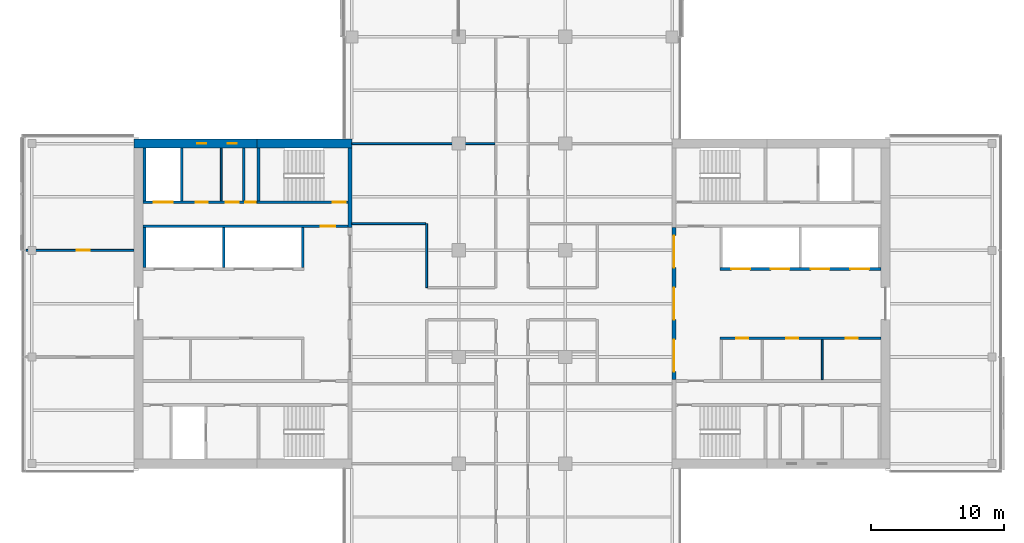
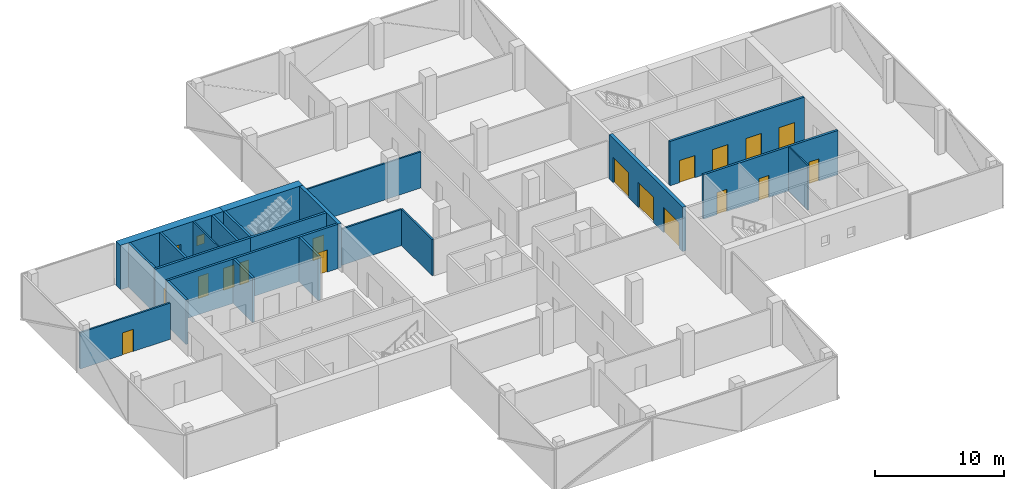
# One storey, part 15 of 22: 22 walls, 17 doors, 2 windows, 19 openings.
"""IFC4 building model written with IfcOpenShell, lengths in metres."""

from ifc_helpers import new_model, si_unit, direction, frame, frame_2d, origin, place, context, subcontext, project, spatial, rectangle, extrude, material, layer, layer_set, constituent, constituent_set, type_object, element, fill, save


model = new_model("IFC4")

# Units and contexts
model_context = context("Model", 3, precision=1e-05, world=origin(), true_north=direction((0.0, 1.0)))
body_context = subcontext(model_context, "Body", "Model", "MODEL_VIEW")
ifc_project = project(units=[si_unit("LENGTHUNIT", "METRE"), si_unit("AREAUNIT", "SQUARE_METRE"), si_unit("VOLUMEUNIT", "CUBIC_METRE"), si_unit("PLANEANGLEUNIT", "RADIAN"), si_unit("MASSUNIT", "GRAM", prefix="KILO")], contexts=[model_context])

# Site, building, storey
site_placement = place(None, origin())
site = spatial("IfcSite", under=ifc_project, at=site_placement, CompositionType="ELEMENT")
building_placement = place(site_placement, origin())
building = spatial("IfcBuilding", under=site, at=building_placement, Name="Crosswind Convention Tower", CompositionType="ELEMENT")
storey_placement = place(building_placement, frame((0.0, 0.0, 163.10009765625)))
storey = spatial("IfcBuildingStorey", under=building, at=storey_placement, Name="L34", CompositionType="ELEMENT", Elevation=163.10009765625)

# Wall
ifc_material_1 = material(Name="Concrete blockwork", Category="masonry")
ifc_layer_1 = layer(ifc_material_1, 0.199951171875)
ifc_layer_set_1 = layer_set([ifc_layer_1], Name="Blockwork partition wall 200")
wall_type_1 = type_object("IfcWallType", Name="Blockwork partition wall 200", PredefinedType="PARTITIONING", material=ifc_layer_set_1)
wall_1_placement = place(storey_placement, frame((104.89990234375, 111.64990234375, 0.0), z_axis=(0.0, 0.0, 1.0), x_axis=(0.0, -1.0, 0.0)))
element("IfcWall", 1, at=wall_1_placement, inside=storey, type_object=wall_type_1, Name="Wall MRSE W L34", PredefinedType="PARTITIONING", context=body_context, shape_type="SweptSolid", body=[
    extrude(rectangle(XDim=3.949951171875, YDim=0.199951171875, at=frame_2d((1.97509765625, 0.0))), origin(), (0.0, 0.0, 1.0), 4.199951171875),
])

# Wall, openings, doors
ifc_material_2 = material(Name="Concrete C50/60", Category="concrete")
ifc_layer_2 = layer(ifc_material_2, 0.300048828125)
ifc_layer_set_2 = layer_set([ifc_layer_2], Name="Concrete C50/60")
wall_type_2 = type_object("IfcWallType", Name="Concrete inner core wall 300", PredefinedType="SHEAR", material=ifc_layer_set_2)
wall_2_placement = place(storey_placement, frame((137.14990234375, 94.300048828125, 0.0), z_axis=(0.0, 0.0, 1.0), x_axis=(0.0, 1.0, 0.0)))
wall_2 = element("IfcWall", 2, at=wall_2_placement, inside=storey, type_object=wall_type_2, Name="Wall SCR E L34", PredefinedType="SHEAR", context=body_context, shape_type="SweptSolid", body=[
    extrude(rectangle(XDim=11.39990234375, YDim=0.300048828125, at=frame_2d((5.699951171875, 0.0))), origin(), (0.0, 0.0, 1.0), 4.199951171875),
])
opening_1_placement = place(wall_2_placement, frame((0.60009765625, 0.0, 0.0)))
opening_1 = element("IfcOpeningElement", 3, at=opening_1_placement, cuts=wall_2, Name="Opening D100", PredefinedType="OPENING", context=body_context, shape_type="SweptSolid", body=[
    extrude(rectangle(XDim=2.39990234375, YDim=2.39990234375, at=frame_2d((1.199951171875, 1.199951171875))), frame((0.0, 0.159912109375, 0.0), z_axis=(0.0, -1.0, 0.0), x_axis=(1.0, 0.0, 0.0)), (0.0, 0.0, 1.0), 0.320068359375),
])
opening_2_placement = place(wall_2_placement, frame((4.5, 0.0, 0.0)))
opening_2 = element("IfcOpeningElement", 4, at=opening_2_placement, cuts=wall_2, Name="Opening D100", PredefinedType="OPENING", context=body_context, shape_type="SweptSolid", body=[
    extrude(rectangle(XDim=2.39990234375, YDim=2.39990234375, at=frame_2d((1.199951171875, 1.199951171875))), frame((0.0, 0.159912109375, 0.0), z_axis=(0.0, -1.0, 0.0), x_axis=(1.0, 0.0, 0.0)), (0.0, 0.0, 1.0), 0.320068359375),
])
opening_3_placement = place(wall_2_placement, frame((8.39990234375, 0.0, 0.0)))
opening_3 = element("IfcOpeningElement", 5, at=opening_3_placement, cuts=wall_2, Name="Opening D100", PredefinedType="OPENING", context=body_context, shape_type="SweptSolid", body=[
    extrude(rectangle(XDim=2.39990234375, YDim=2.39990234375, at=frame_2d((1.199951171875, 1.199951171875))), frame((0.0, 0.159912109375, 0.0), z_axis=(0.0, -1.0, 0.0), x_axis=(1.0, 0.0, 0.0)), (0.0, 0.0, 1.0), 0.320068359375),
])
ifc_material_3 = material(Name="Steel fire door with glazed vision panels", Category="steel")
door_type_1 = type_object("IfcDoorType", Name="Fire-rated double door 2400x2400", OperationType="DOUBLE_DOOR_SINGLE_SWING", PredefinedType="DOOR", material=ifc_material_3)
door_1_placement = place(opening_1_placement, origin())
door_1 = element("IfcDoor", 6, at=door_1_placement, inside=storey, type_object=door_type_1, Name="Lobby door 1 L34", ObjectType="D100", OperationType="DOUBLE_DOOR_SINGLE_SWING", OverallHeight=2.39990234375, OverallWidth=2.39990234375, PredefinedType="DOOR", context=body_context, shape_type="SweptSolid", body=[
    extrude(rectangle(XDim=2.39990234375, YDim=2.39990234375, at=frame_2d((1.199951171875, 1.199951171875))), frame((0.0, 0.02490234375, 0.0), z_axis=(0.0, -1.0, 0.0), x_axis=(1.0, 0.0, 0.0)), (0.0, 0.0, 1.0), 0.050048828125),
])
fill(opening_1, door_1)
door_2_placement = place(opening_2_placement, origin())
door_2 = element("IfcDoor", 7, at=door_2_placement, inside=storey, type_object=door_type_1, Name="Lobby door 2 L34", ObjectType="D100", OperationType="DOUBLE_DOOR_SINGLE_SWING", OverallHeight=2.39990234375, OverallWidth=2.39990234375, PredefinedType="DOOR", context=body_context, shape_type="SweptSolid", body=[
    extrude(rectangle(XDim=2.39990234375, YDim=2.39990234375, at=frame_2d((1.199951171875, 1.199951171875))), frame((0.0, 0.02490234375, 0.0), z_axis=(0.0, -1.0, 0.0), x_axis=(1.0, 0.0, 0.0)), (0.0, 0.0, 1.0), 0.050048828125),
])
fill(opening_2, door_2)
door_3_placement = place(opening_3_placement, origin())
door_3 = element("IfcDoor", 8, at=door_3_placement, inside=storey, type_object=door_type_1, Name="Lobby door 3 L34", ObjectType="D100", OperationType="DOUBLE_DOOR_SINGLE_SWING", OverallHeight=2.39990234375, OverallWidth=2.39990234375, PredefinedType="DOOR", context=body_context, shape_type="SweptSolid", body=[
    extrude(rectangle(XDim=2.39990234375, YDim=2.39990234375, at=frame_2d((1.199951171875, 1.199951171875))), frame((0.0, 0.02490234375, 0.0), z_axis=(0.0, -1.0, 0.0), x_axis=(1.0, 0.0, 0.0)), (0.0, 0.0, 1.0), 0.050048828125),
])
fill(opening_3, door_3)

# Wall
wall_3_placement = place(storey_placement, frame((112.85009765625, 111.64990234375, 0.0), z_axis=(0.0, 0.0, 1.0), x_axis=(0.0, -1.0, 0.0)))
element("IfcWall", 9, at=wall_3_placement, inside=storey, type_object=wall_type_2, Name="Wall EM W L34", PredefinedType="SHEAR", context=body_context, shape_type="SweptSolid", body=[
    extrude(rectangle(XDim=5.949951171875, YDim=0.300048828125, at=frame_2d((2.97509765625, 0.0))), origin(), (0.0, 0.0, 1.0), 4.199951171875),
])

# Wall, openings, doors
ifc_layer_3 = layer(ifc_material_2, 0.199951171875)
ifc_layer_set_3 = layer_set([ifc_layer_3], Name="Concrete C50/60")
wall_type_3 = type_object("IfcWallType", Name="Concrete shaft and stair wall 200", PredefinedType="SHEAR", material=ifc_layer_set_3)
wall_4_placement = place(storey_placement, frame((140.60009765625, 102.60009765625, 0.0), z_axis=(0.0, 0.0, 1.0), x_axis=(1.0, 0.0, 0.0)))
wall_4 = element("IfcWall", 10, at=wall_4_placement, inside=storey, type_object=wall_type_3, Name="Wall RPFRONT E L34", PredefinedType="SHEAR", context=body_context, shape_type="SweptSolid", body=[
    extrude(rectangle(XDim=12.0498046875, YDim=0.199951171875, at=frame_2d((6.02490234375, 0.0))), origin(), (0.0, 0.0, 1.0), 4.199951171875),
])
opening_4_placement = place(wall_4_placement, frame((0.85009765625, 0.0, 0.0)))
opening_4 = element("IfcOpeningElement", 11, at=opening_4_placement, cuts=wall_4, Name="Opening LD2", PredefinedType="OPENING", context=body_context, shape_type="SweptSolid", body=[
    extrude(rectangle(XDim=1.39990234375, YDim=2.10009765625, at=frame_2d((0.699951171875, 1.050048828125))), frame((0.0, 0.10986328125, 0.0), z_axis=(0.0, -1.0, 0.0), x_axis=(1.0, 0.0, 0.0)), (0.0, 0.0, 1.0), 0.219970703125),
])
opening_5_placement = place(wall_4_placement, frame((3.800048828125, 0.0, 0.0)))
opening_5 = element("IfcOpeningElement", 12, at=opening_5_placement, cuts=wall_4, Name="Opening LD2", PredefinedType="OPENING", context=body_context, shape_type="SweptSolid", body=[
    extrude(rectangle(XDim=1.39990234375, YDim=2.10009765625, at=frame_2d((0.699951171875, 1.050048828125))), frame((0.0, 0.10986328125, 0.0), z_axis=(0.0, -1.0, 0.0), x_axis=(1.0, 0.0, 0.0)), (0.0, 0.0, 1.0), 0.219970703125),
])
opening_6_placement = place(wall_4_placement, frame((6.800048828125, 0.0, 0.0)))
opening_6 = element("IfcOpeningElement", 13, at=opening_6_placement, cuts=wall_4, Name="Opening LD2", PredefinedType="OPENING", context=body_context, shape_type="SweptSolid", body=[
    extrude(rectangle(XDim=1.39990234375, YDim=2.10009765625, at=frame_2d((0.699951171875, 1.050048828125))), frame((0.0, 0.10986328125, 0.0), z_axis=(0.0, -1.0, 0.0), x_axis=(1.0, 0.0, 0.0)), (0.0, 0.0, 1.0), 0.219970703125),
])
opening_7_placement = place(wall_4_placement, frame((9.77490234375, 0.0, 0.0)))
opening_7 = element("IfcOpeningElement", 14, at=opening_7_placement, cuts=wall_4, Name="Opening LD2", PredefinedType="OPENING", context=body_context, shape_type="SweptSolid", body=[
    extrude(rectangle(XDim=1.39990234375, YDim=2.10009765625, at=frame_2d((0.699951171875, 1.050048828125))), frame((0.0, 0.10986328125, 0.0), z_axis=(0.0, -1.0, 0.0), x_axis=(1.0, 0.0, 0.0)), (0.0, 0.0, 1.0), 0.219970703125),
])
ifc_material_4 = material(Name="Stainless steel", Category="steel")
door_type_2 = type_object("IfcDoorType", Name="Lift landing door 1400x2100", OperationType="DOUBLE_DOOR_SLIDING", PredefinedType="DOOR", material=ifc_material_4)
door_4_placement = place(opening_4_placement, origin())
door_4 = element("IfcDoor", 15, at=door_4_placement, inside=storey, type_object=door_type_2, Name="Landing door A1 L34", ObjectType="LD2", OperationType="DOUBLE_DOOR_SLIDING", OverallHeight=2.10009765625, OverallWidth=1.39990234375, PredefinedType="DOOR", context=body_context, shape_type="SweptSolid", body=[
    extrude(rectangle(XDim=1.39990234375, YDim=2.10009765625, at=frame_2d((0.699951171875, 1.050048828125))), frame((0.0, 0.02490234375, 0.0), z_axis=(0.0, -1.0, 0.0), x_axis=(1.0, 0.0, 0.0)), (0.0, 0.0, 1.0), 0.050048828125),
])
fill(opening_4, door_4)
door_5_placement = place(opening_5_placement, origin())
door_5 = element("IfcDoor", 16, at=door_5_placement, inside=storey, type_object=door_type_2, Name="Landing door A2 L34", ObjectType="LD2", OperationType="DOUBLE_DOOR_SLIDING", OverallHeight=2.10009765625, OverallWidth=1.39990234375, PredefinedType="DOOR", context=body_context, shape_type="SweptSolid", body=[
    extrude(rectangle(XDim=1.39990234375, YDim=2.10009765625, at=frame_2d((0.699951171875, 1.050048828125))), frame((0.0, 0.02490234375, 0.0), z_axis=(0.0, -1.0, 0.0), x_axis=(1.0, 0.0, 0.0)), (0.0, 0.0, 1.0), 0.050048828125),
])
fill(opening_5, door_5)
door_6_placement = place(opening_6_placement, origin())
door_6 = element("IfcDoor", 17, at=door_6_placement, inside=storey, type_object=door_type_2, Name="Landing door A3 L34", ObjectType="LD2", OperationType="DOUBLE_DOOR_SLIDING", OverallHeight=2.10009765625, OverallWidth=1.39990234375, PredefinedType="DOOR", context=body_context, shape_type="SweptSolid", body=[
    extrude(rectangle(XDim=1.39990234375, YDim=2.10009765625, at=frame_2d((0.699951171875, 1.050048828125))), frame((0.0, 0.02490234375, 0.0), z_axis=(0.0, -1.0, 0.0), x_axis=(1.0, 0.0, 0.0)), (0.0, 0.0, 1.0), 0.050048828125),
])
fill(opening_6, door_6)
door_7_placement = place(opening_7_placement, origin())
door_7 = element("IfcDoor", 18, at=door_7_placement, inside=storey, type_object=door_type_2, Name="Landing door A4 L34", ObjectType="LD2", OperationType="DOUBLE_DOOR_SLIDING", OverallHeight=2.10009765625, OverallWidth=1.39990234375, PredefinedType="DOOR", context=body_context, shape_type="SweptSolid", body=[
    extrude(rectangle(XDim=1.39990234375, YDim=2.10009765625, at=frame_2d((0.699951171875, 1.050048828125))), frame((0.0, 0.02490234375, 0.0), z_axis=(0.0, -1.0, 0.0), x_axis=(1.0, 0.0, 0.0)), (0.0, 0.0, 1.0), 0.050048828125),
])
fill(opening_7, door_7)

wall_5_placement = place(storey_placement, frame((140.60009765625, 97.39990234375, 0.0), z_axis=(0.0, 0.0, 1.0), x_axis=(1.0, 0.0, 0.0)))
wall_5 = element("IfcWall", 19, at=wall_5_placement, inside=storey, type_object=wall_type_3, Name="Wall RMFRONT E L34", PredefinedType="SHEAR", context=body_context, shape_type="SweptSolid", body=[
    extrude(rectangle(XDim=12.0498046875, YDim=0.199951171875, at=frame_2d((6.02490234375, 0.0))), origin(), (0.0, 0.0, 1.0), 4.199951171875),
])
opening_8_placement = place(wall_5_placement, frame((1.199951171875, 0.0, 0.0)))
opening_8 = element("IfcOpeningElement", 20, at=opening_8_placement, cuts=wall_5, Name="Opening D106", PredefinedType="OPENING", context=body_context, shape_type="SweptSolid", body=[
    extrude(rectangle(XDim=0.89990234375, YDim=2.10009765625, at=frame_2d((0.449951171875, 1.050048828125))), frame((0.0, 0.10986328125, 0.0), z_axis=(0.0, -1.0, 0.0), x_axis=(1.0, 0.0, 0.0)), (0.0, 0.0, 1.0), 0.219970703125),
])
opening_9_placement = place(wall_5_placement, frame((4.964111328125, 0.0, 0.0)))
opening_9 = element("IfcOpeningElement", 21, at=opening_9_placement, cuts=wall_5, Name="Opening D106", PredefinedType="OPENING", context=body_context, shape_type="SweptSolid", body=[
    extrude(rectangle(XDim=0.89990234375, YDim=2.10009765625, at=frame_2d((0.449951171875, 1.050048828125))), frame((0.0, 0.10986328125, 0.0), z_axis=(0.0, -1.0, 0.0), x_axis=(1.0, 0.0, 0.0)), (0.0, 0.0, 1.0), 0.219970703125),
])
opening_10_placement = place(wall_5_placement, frame((9.43896484375, 0.0, 0.0)))
opening_10 = element("IfcOpeningElement", 22, at=opening_10_placement, cuts=wall_5, Name="Opening D106", PredefinedType="OPENING", context=body_context, shape_type="SweptSolid", body=[
    extrude(rectangle(XDim=0.89990234375, YDim=2.10009765625, at=frame_2d((0.449951171875, 1.050048828125))), frame((0.0, 0.10986328125, 0.0), z_axis=(0.0, -1.0, 0.0), x_axis=(1.0, 0.0, 0.0)), (0.0, 0.0, 1.0), 0.219970703125),
])
ifc_material_5 = material(Name="Timber door", Category="wood")
door_type_3 = type_object("IfcDoorType", Name="Single leaf door 900x2100", OperationType="NOTDEFINED", PredefinedType="DOOR", material=ifc_material_5)
door_8_placement = place(opening_8_placement, frame((0.89990234375, 0.0, 0.0), z_axis=(0.0, 0.0, 1.0), x_axis=(-1.0, 0.0, 0.0)))
door_8 = element("IfcDoor", 23, at=door_8_placement, inside=storey, type_object=door_type_3, Name="Door to copy and print room L34", ObjectType="D106", OperationType="SINGLE_SWING_LEFT", OverallHeight=2.10009765625, OverallWidth=0.89990234375, PredefinedType="DOOR", context=body_context, shape_type="SweptSolid", body=[
    extrude(rectangle(XDim=0.89990234375, YDim=2.10009765625, at=frame_2d((0.449951171875, 1.050048828125))), frame((0.0, 0.02490234375, 0.0), z_axis=(0.0, -1.0, 0.0), x_axis=(1.0, 0.0, 0.0)), (0.0, 0.0, 1.0), 0.050048828125),
])
fill(opening_8, door_8)
door_9_placement = place(opening_9_placement, frame((0.89990234375, 0.0, 0.0), z_axis=(0.0, 0.0, 1.0), x_axis=(-1.0, 0.0, 0.0)))
door_9 = element("IfcDoor", 24, at=door_9_placement, inside=storey, type_object=door_type_3, Name="Door to meeting room L34", ObjectType="D106", OperationType="SINGLE_SWING_LEFT", OverallHeight=2.10009765625, OverallWidth=0.89990234375, PredefinedType="DOOR", context=body_context, shape_type="SweptSolid", body=[
    extrude(rectangle(XDim=0.89990234375, YDim=2.10009765625, at=frame_2d((0.449951171875, 1.050048828125))), frame((0.0, 0.02490234375, 0.0), z_axis=(0.0, -1.0, 0.0), x_axis=(1.0, 0.0, 0.0)), (0.0, 0.0, 1.0), 0.050048828125),
])
fill(opening_9, door_9)
door_10_placement = place(opening_10_placement, frame((0.89990234375, 0.0, 0.0), z_axis=(0.0, 0.0, 1.0), x_axis=(-1.0, 0.0, 0.0)))
door_10 = element("IfcDoor", 25, at=door_10_placement, inside=storey, type_object=door_type_3, Name="Door to pantry L34", ObjectType="D106", OperationType="SINGLE_SWING_LEFT", OverallHeight=2.10009765625, OverallWidth=0.89990234375, PredefinedType="DOOR", context=body_context, shape_type="SweptSolid", body=[
    extrude(rectangle(XDim=0.89990234375, YDim=2.10009765625, at=frame_2d((0.449951171875, 1.050048828125))), frame((0.0, 0.02490234375, 0.0), z_axis=(0.0, -1.0, 0.0), x_axis=(1.0, 0.0, 0.0)), (0.0, 0.0, 1.0), 0.050048828125),
])
fill(opening_10, door_10)

# Walls
for number, where, z_axis, x_axis, name in (
    (26, (109.300048828125, 105.699951171875, 0.0), (0.0, 0.0, 1.0), (0.0, -1.0, 0.0), "Wall RMEND W L34"),
    (27, (103.39990234375, 105.699951171875, 0.0), (0.0, 0.0, 1.0), (0.0, -1.0, 0.0), "Wall RMSEP W L34"),
    (28, (97.449951171875, 105.699951171875, 0.0), (0.0, 0.0, 1.0), (0.0, -1.0, 0.0), "Wall RMEAST W L34"),
):
    element("IfcWall", number, at=place(storey_placement, frame(where, z_axis=z_axis, x_axis=x_axis)), inside=storey, type_object=wall_type_3, Name=name, PredefinedType="SHEAR", context=body_context, shape_type="SweptSolid", body=[
        extrude(rectangle(XDim=3.0, YDim=0.199951171875, at=frame_2d((1.5, 0.0))), origin(), (0.0, 0.0, 1.0), 4.199951171875),
    ])

# Wall, opening, door
wall_6_placement = place(storey_placement, frame((112.699951171875, 105.800048828125, 0.0), z_axis=(0.0, 0.0, 1.0), x_axis=(-1.0, 0.0, 0.0)))
wall_6 = element("IfcWall", 29, at=wall_6_placement, inside=storey, type_object=wall_type_3, Name="Wall HM W L34", PredefinedType="SHEAR", context=body_context, shape_type="SweptSolid", body=[
    extrude(rectangle(XDim=15.349853515625, YDim=0.199951171875, at=frame_2d((7.6748046875, 0.0))), origin(), (0.0, 0.0, 1.0), 4.199951171875),
])
opening_11_placement = place(wall_6_placement, frame((0.949951171875, 0.0, 0.0)))
opening_11 = element("IfcOpeningElement", 30, at=opening_11_placement, cuts=wall_6, Name="Opening D104", PredefinedType="OPENING", context=body_context, shape_type="SweptSolid", body=[
    extrude(rectangle(XDim=1.10009765625, YDim=2.10009765625, at=frame_2d((0.550048828125, 1.050048828125))), frame((0.0, 0.10986328125, 0.0), z_axis=(0.0, -1.0, 0.0), x_axis=(1.0, 0.0, 0.0)), (0.0, 0.0, 1.0), 0.219970703125),
])
ifc_material_6 = material(Name="Steel fire door", Category="steel")
door_type_4 = type_object("IfcDoorType", Name="Fire-rated single door 1100x2100", OperationType="NOTDEFINED", PredefinedType="DOOR", material=ifc_material_6)
door_11_placement = place(opening_11_placement, origin())
door_11 = element("IfcDoor", 31, at=door_11_placement, inside=storey, type_object=door_type_4, Name="Corridor door L34", ObjectType="D104", OperationType="SINGLE_SWING_LEFT", OverallHeight=2.10009765625, OverallWidth=1.10009765625, PredefinedType="DOOR", context=body_context, shape_type="SweptSolid", body=[
    extrude(rectangle(XDim=1.10009765625, YDim=2.10009765625, at=frame_2d((0.550048828125, 1.050048828125))), frame((0.0, 0.02490234375, 0.0), z_axis=(0.0, -1.0, 0.0), x_axis=(1.0, 0.0, 0.0)), (0.0, 0.0, 1.0), 0.050048828125),
])
fill(opening_11, door_11)

# Walls
for number, where, z_axis, x_axis, name in (
    (32, (106.0, 111.64990234375, 0.0), (0.0, 0.0, 1.0), (0.0, -1.0, 0.0), "Wall MSE W L34"),
    (33, (100.25, 111.64990234375, 0.0), (0.0, 0.0, 1.0), (0.0, -1.0, 0.0), "Wall MFSW W L34"),
    (34, (97.449951171875, 111.64990234375, 0.0), (0.0, 0.0, 1.0), (0.0, -1.0, 0.0), "Wall MFSE W L34"),
):
    element("IfcWall", number, at=place(storey_placement, frame(where, z_axis=z_axis, x_axis=x_axis)), inside=storey, type_object=wall_type_3, Name=name, PredefinedType="SHEAR", context=body_context, shape_type="SweptSolid", body=[
        extrude(rectangle(XDim=3.949951171875, YDim=0.199951171875, at=frame_2d((1.97509765625, 0.0))), origin(), (0.0, 0.0, 1.0), 4.199951171875),
    ])

# Wall, opening, door
wall_7_placement = place(storey_placement, frame((112.699951171875, 107.60009765625, 0.0), z_axis=(0.0, 0.0, 1.0), x_axis=(-1.0, 0.0, 0.0)))
wall_7 = element("IfcWall", 35, at=wall_7_placement, inside=storey, type_object=wall_type_3, Name="Wall MCW W L34", PredefinedType="SHEAR", context=body_context, shape_type="SweptSolid", body=[
    extrude(rectangle(XDim=6.800048828125, YDim=0.199951171875, at=frame_2d((3.39990234375, 0.0))), origin(), (0.0, 0.0, 1.0), 4.199951171875),
])
opening_12_placement = place(wall_7_placement, frame((0.14990234375, 0.0, 0.0)))
opening_12 = element("IfcOpeningElement", 36, at=opening_12_placement, cuts=wall_7, Name="Opening D103", PredefinedType="OPENING", context=body_context, shape_type="SweptSolid", body=[
    extrude(rectangle(XDim=1.0, YDim=2.10009765625, at=frame_2d((0.5, 1.050048828125))), frame((0.0, 0.10986328125, 0.0), z_axis=(0.0, -1.0, 0.0), x_axis=(1.0, 0.0, 0.0)), (0.0, 0.0, 1.0), 0.219970703125),
])
door_type_5 = type_object("IfcDoorType", Name="Fire-rated single door 1000x2100", OperationType="NOTDEFINED", PredefinedType="DOOR", material=ifc_material_6)
door_12_placement = place(opening_12_placement, frame((1.0, 0.0, 0.0), z_axis=(0.0, 0.0, 1.0), x_axis=(-1.0, 0.0, 0.0)))
door_12 = element("IfcDoor", 37, at=door_12_placement, inside=storey, type_object=door_type_5, Name="Stair ST4 door L34", ObjectType="D103", OperationType="SINGLE_SWING_RIGHT", OverallHeight=2.10009765625, OverallWidth=1.0, PredefinedType="DOOR", context=body_context, shape_type="SweptSolid", body=[
    extrude(rectangle(XDim=1.0, YDim=2.10009765625, at=frame_2d((0.5, 1.050048828125))), frame((0.0, 0.02490234375, 0.0), z_axis=(0.0, -1.0, 0.0), x_axis=(1.0, 0.0, 0.0)), (0.0, 0.0, 1.0), 0.050048828125),
])
fill(opening_12, door_12)

# Wall, openings, doors
wall_8_placement = place(storey_placement, frame((105.89990234375, 107.60009765625, 0.0), z_axis=(0.0, 0.0, 1.0), x_axis=(-1.0, 0.0, 0.0)))
wall_8 = element("IfcWall", 38, at=wall_8_placement, inside=storey, type_object=wall_type_3, Name="Wall MCX W L34", PredefinedType="SHEAR", context=body_context, shape_type="SweptSolid", body=[
    extrude(rectangle(XDim=8.5498046875, YDim=0.199951171875, at=frame_2d((4.27490234375, 0.0))), origin(), (0.0, 0.0, 1.0), 4.199951171875),
])
opening_13_placement = place(wall_8_placement, frame((0.10009765625, 0.0, 0.0)))
opening_13 = element("IfcOpeningElement", 39, at=opening_13_placement, cuts=wall_8, Name="Opening D105", PredefinedType="OPENING", context=body_context, shape_type="SweptSolid", body=[
    extrude(rectangle(XDim=0.800048828125, YDim=2.10009765625, at=frame_2d((0.39990234375, 1.050048828125))), frame((0.0, 0.10986328125, 0.0), z_axis=(0.0, -1.0, 0.0), x_axis=(1.0, 0.0, 0.0)), (0.0, 0.0, 1.0), 0.219970703125),
])
opening_14_placement = place(wall_8_placement, frame((1.36962890625, 0.0, 0.0)))
opening_14 = element("IfcOpeningElement", 40, at=opening_14_placement, cuts=wall_8, Name="Opening D103", PredefinedType="OPENING", context=body_context, shape_type="SweptSolid", body=[
    extrude(rectangle(XDim=1.0, YDim=2.10009765625, at=frame_2d((0.5, 1.050048828125))), frame((0.0, 0.10986328125, 0.0), z_axis=(0.0, -1.0, 0.0), x_axis=(1.0, 0.0, 0.0)), (0.0, 0.0, 1.0), 0.219970703125),
])
opening_15_placement = place(wall_8_placement, frame((3.707275390625, 0.0, 0.0)))
opening_15 = element("IfcOpeningElement", 41, at=opening_15_placement, cuts=wall_8, Name="Opening D106", PredefinedType="OPENING", context=body_context, shape_type="SweptSolid", body=[
    extrude(rectangle(XDim=0.89990234375, YDim=2.10009765625, at=frame_2d((0.449951171875, 1.050048828125))), frame((0.0, 0.10986328125, 0.0), z_axis=(0.0, -1.0, 0.0), x_axis=(1.0, 0.0, 0.0)), (0.0, 0.0, 1.0), 0.219970703125),
])
opening_16_placement = place(wall_8_placement, frame((6.35009765625, 0.0, 0.0)))
opening_16 = element("IfcOpeningElement", 42, at=opening_16_placement, cuts=wall_8, Name="Opening LD2", PredefinedType="OPENING", context=body_context, shape_type="SweptSolid", body=[
    extrude(rectangle(XDim=1.39990234375, YDim=2.10009765625, at=frame_2d((0.699951171875, 1.050048828125))), frame((0.0, 0.10986328125, 0.0), z_axis=(0.0, -1.0, 0.0), x_axis=(1.0, 0.0, 0.0)), (0.0, 0.0, 1.0), 0.219970703125),
])
door_13_placement = place(opening_14_placement, frame((1.0, 0.0, 0.0), z_axis=(0.0, 0.0, 1.0), x_axis=(-1.0, 0.0, 0.0)))
door_13 = element("IfcDoor", 43, at=door_13_placement, inside=storey, type_object=door_type_5, Name="Door to accessible wc L34", ObjectType="D103", OperationType="SINGLE_SWING_LEFT", OverallHeight=2.10009765625, OverallWidth=1.0, PredefinedType="DOOR", context=body_context, shape_type="SweptSolid", body=[
    extrude(rectangle(XDim=1.0, YDim=2.10009765625, at=frame_2d((0.5, 1.050048828125))), frame((0.0, 0.02490234375, 0.0), z_axis=(0.0, -1.0, 0.0), x_axis=(1.0, 0.0, 0.0)), (0.0, 0.0, 1.0), 0.050048828125),
])
fill(opening_14, door_13)
door_14_placement = place(opening_16_placement, origin())
door_14 = element("IfcDoor", 44, at=door_14_placement, inside=storey, type_object=door_type_2, Name="Landing door SV2 L34", ObjectType="LD2", OperationType="DOUBLE_DOOR_SLIDING", OverallHeight=2.10009765625, OverallWidth=1.39990234375, PredefinedType="DOOR", context=body_context, shape_type="SweptSolid", body=[
    extrude(rectangle(XDim=1.39990234375, YDim=2.10009765625, at=frame_2d((0.699951171875, 1.050048828125))), frame((0.0, 0.02490234375, 0.0), z_axis=(0.0, -1.0, 0.0), x_axis=(1.0, 0.0, 0.0)), (0.0, 0.0, 1.0), 0.050048828125),
])
fill(opening_16, door_14)
door_type_6 = type_object("IfcDoorType", Name="Riser access door 800x2100", OperationType="NOTDEFINED", PredefinedType="DOOR", material=ifc_material_6)
door_15_placement = place(opening_13_placement, frame((0.800048828125, 0.0, 0.0), z_axis=(0.0, 0.0, 1.0), x_axis=(-1.0, 0.0, 0.0)))
door_15 = element("IfcDoor", 45, at=door_15_placement, inside=storey, type_object=door_type_6, Name="Riser door L34", ObjectType="D105", OperationType="SINGLE_SWING_LEFT", OverallHeight=2.10009765625, OverallWidth=0.800048828125, PredefinedType="DOOR", context=body_context, shape_type="SweptSolid", body=[
    extrude(rectangle(XDim=0.800048828125, YDim=2.10009765625, at=frame_2d((0.39990234375, 1.050048828125))), frame((0.0, 0.02490234375, 0.0), z_axis=(0.0, -1.0, 0.0), x_axis=(1.0, 0.0, 0.0)), (0.0, 0.0, 1.0), 0.050048828125),
])
fill(opening_13, door_15)
door_16_placement = place(opening_15_placement, frame((0.89990234375, 0.0, 0.0), z_axis=(0.0, 0.0, 1.0), x_axis=(-1.0, 0.0, 0.0)))
door_16 = element("IfcDoor", 46, at=door_16_placement, inside=storey, type_object=door_type_3, Name="Door to wc L34", ObjectType="D106", OperationType="SINGLE_SWING_LEFT", OverallHeight=2.10009765625, OverallWidth=0.89990234375, PredefinedType="DOOR", context=body_context, shape_type="SweptSolid", body=[
    extrude(rectangle(XDim=0.89990234375, YDim=2.10009765625, at=frame_2d((0.449951171875, 1.050048828125))), frame((0.0, 0.02490234375, 0.0), z_axis=(0.0, -1.0, 0.0), x_axis=(1.0, 0.0, 0.0)), (0.0, 0.0, 1.0), 0.050048828125),
])
fill(opening_15, door_16)

# Walls
ifc_material_7 = material(Name="Gypsum plasterboard partition", Category="gypsum")
ifc_layer_4 = layer(ifc_material_7, 0.125)
ifc_layer_set_4 = layer_set([ifc_layer_4], Name="Drywall partition wall 125")
wall_type_4 = type_object("IfcWallType", Name="Drywall partition wall 125", PredefinedType="PARTITIONING", material=ifc_layer_set_4)
wall_9_placement = place(storey_placement, frame((148.265380859375, 94.300048828125, 0.0), z_axis=(0.0, 0.0, 1.0), x_axis=(0.0, 1.0, 0.0)))
element("IfcWall", 47, at=wall_9_placement, inside=storey, type_object=wall_type_4, Name="Wall RMP2 E L34", PredefinedType="PARTITIONING", context=body_context, shape_type="SweptSolid", body=[
    extrude(rectangle(XDim=3.0, YDim=0.125, at=frame_2d((1.5, 0.0))), origin(), (0.0, 0.0, 1.0), 4.199951171875),
])
wall_10_placement = place(storey_placement, frame((103.197998046875, 111.64990234375, 0.0), z_axis=(0.0, 0.0, 1.0), x_axis=(0.0, -1.0, 0.0)))
element("IfcWall", 48, at=wall_10_placement, inside=storey, type_object=wall_type_4, Name="Wall MWP1 W L34", PredefinedType="PARTITIONING", context=body_context, shape_type="SweptSolid", body=[
    extrude(rectangle(XDim=3.949951171875, YDim=0.125, at=frame_2d((1.97509765625, 0.0))), origin(), (0.0, 0.0, 1.0), 4.199951171875),
])
ifc_material_8 = material(Name="Fire-board partition with mineral wool", Category="gypsum")
ifc_layer_5 = layer(ifc_material_8, 0.14990234375)
ifc_layer_set_5 = layer_set([ifc_layer_5], Name="TENANCY WALL 150 TWO-HOUR BOARD")
wall_type_5 = type_object("IfcWallType", Name="TENANCY WALL 150 TWO-HOUR BOARD", PredefinedType="PARTITIONING", material=ifc_layer_set_5)
wall_11_placement = place(storey_placement, frame((118.60009765625, 101.199951171875, 0.0), z_axis=(0.0, 0.0, 1.0), x_axis=(0.0, 1.0, 0.0)))
element("IfcWall", 49, at=wall_11_placement, inside=storey, type_object=wall_type_5, Name="Tenancy wall WT41", PredefinedType="PARTITIONING", context=body_context, shape_type="SweptSolid", body=[
    extrude(rectangle(XDim=4.800048828125, YDim=0.14990234375, at=frame_2d((2.39990234375, 0.0))), origin(), (0.0, 0.0, 1.0), 3.436279296875),
])

# Wall, opening, door
wall_12_placement = place(storey_placement, frame((88.580078125, 104.0, 0.0), z_axis=(0.0, 0.0, 1.0), x_axis=(1.0, 0.0, 0.0)))
wall_12 = element("IfcWall", 50, at=wall_12_placement, inside=storey, type_object=wall_type_5, Name="Tenancy wall WT41", PredefinedType="PARTITIONING", context=body_context, shape_type="SweptSolid", body=[
    extrude(rectangle(XDim=8.06982421875, YDim=0.14990234375, at=frame_2d((4.034912109375, 0.0))), origin(), (0.0, 0.0, 1.0), 3.436279296875),
])
opening_17_placement = place(wall_12_placement, frame((3.77001953125, 0.0, 0.0)))
opening_17 = element("IfcOpeningElement", 51, at=opening_17_placement, cuts=wall_12, Name="Opening L34-66", PredefinedType="OPENING", context=body_context, shape_type="SweptSolid", body=[
    extrude(rectangle(XDim=1.0, YDim=2.10009765625, at=frame_2d((0.5, 1.050048828125))), frame((0.0, 0.0849609375, 0.0), z_axis=(0.0, -1.0, 0.0), x_axis=(1.0, 0.0, 0.0)), (0.0, 0.0, 1.0), 0.169921875),
])
ifc_material_9 = material(Name="Timber fire door", Category="wood")
door_type_7 = type_object("IfcDoorType", Name="TENANCY ENTRANCE DOOR 1000X2100 FD30S", OperationType="NOTDEFINED", PredefinedType="DOOR", material=ifc_material_9)
door_17_placement = place(opening_17_placement, origin())
door_17 = element("IfcDoor", 52, at=door_17_placement, inside=storey, type_object=door_type_7, Name="Door L34-66", ObjectType="D41", OperationType="SINGLE_SWING_LEFT", OverallHeight=2.10009765625, OverallWidth=1.0, PredefinedType="DOOR", context=body_context, shape_type="SweptSolid", body=[
    extrude(rectangle(XDim=1.0, YDim=2.10009765625, at=frame_2d((0.5, 1.050048828125))), frame((0.0, 0.02490234375, 0.0), z_axis=(0.0, -1.0, 0.0), x_axis=(1.0, 0.0, 0.0)), (0.0, 0.0, 1.0), 0.050048828125),
])
fill(opening_17, door_17)

# Walls
wall_13_placement = place(storey_placement, frame((113.0, 106.0, 0.0), z_axis=(0.0, 0.0, 1.0), x_axis=(1.0, 0.0, 0.0)))
element("IfcWall", 53, at=wall_13_placement, inside=storey, type_object=wall_type_5, Name="Tenancy wall WT41", PredefinedType="PARTITIONING", context=body_context, shape_type="SweptSolid", body=[
    extrude(rectangle(XDim=5.52490234375, YDim=0.14990234375, at=frame_2d((2.762451171875, 0.0))), origin(), (0.0, 0.0, 1.0), 3.436279296875),
])
wall_14_placement = place(storey_placement, frame((113.0, 112.0, 0.0), z_axis=(0.0, 0.0, 1.0), x_axis=(1.0, 0.0, 0.0)))
element("IfcWall", 54, at=wall_14_placement, inside=storey, type_object=wall_type_5, Name="Tenancy wall WT41", PredefinedType="PARTITIONING", context=body_context, shape_type="SweptSolid", body=[
    extrude(rectangle(XDim=10.72509765625, YDim=0.14990234375, at=frame_2d((5.362548828125, 0.0))), origin(), (0.0, 0.0, 1.0), 3.436279296875),
])
ifc_material_10 = material(Name="Concrete C60/75", Category="concrete")
ifc_constituent_1 = constituent(ifc_material_10, Name="Structure")
ifc_material_11 = material(Name="Terracotta rainscreen", Category="ceramic")
ifc_constituent_2 = constituent(ifc_material_11, Name="Facing")
ifc_constituent_set = constituent_set(constituents=[ifc_constituent_1, ifc_constituent_2], Name="Concrete C60/75, Terracotta rainscreen")
wall_type_6 = type_object("IfcWallType", Name="Terracotta rainscreen on concrete core wall 700", PredefinedType="SHEAR", material=ifc_constituent_set)
wall_15_placement = place(storey_placement, frame((113.0, 112.0, 0.0), z_axis=(0.0, 0.0, 1.0), x_axis=(-1.0, 0.0, 0.0)))
element("IfcWall", 55, at=wall_15_placement, inside=storey, type_object=wall_type_6, Name="Wall S1 W L34", PredefinedType="SHEAR", context=body_context, shape_type="SweptSolid", body=[
    extrude(rectangle(XDim=7.10009765625, YDim=0.699951171875, at=frame_2d((3.550048828125, 0.0))), origin(), (0.0, 0.0, 1.0), 4.199951171875),
])

# Wall, openings, windows
wall_16_placement = place(storey_placement, frame((105.89990234375, 112.0, 0.0), z_axis=(0.0, 0.0, 1.0), x_axis=(-1.0, 0.0, 0.0)))
wall_16 = element("IfcWall", 56, at=wall_16_placement, inside=storey, type_object=wall_type_6, Name="Wall S2 W L34", PredefinedType="SHEAR", context=body_context, shape_type="SweptSolid", body=[
    extrude(rectangle(XDim=9.25, YDim=0.699951171875, at=frame_2d((4.625, 0.0))), origin(), (0.0, 0.0, 1.0), 4.199951171875),
])
opening_18_placement = place(wall_16_placement, frame((1.519775390625, 0.0, 1.5)))
opening_18 = element("IfcOpeningElement", 57, at=opening_18_placement, cuts=wall_16, Name="Opening W2", PredefinedType="OPENING", context=body_context, shape_type="SweptSolid", body=[
    extrude(rectangle(XDim=0.699951171875, YDim=0.89990234375, at=frame_2d((0.35009765625, 0.449951171875))), frame((0.0, 0.35986328125, 0.0), z_axis=(0.0, -1.0, 0.0), x_axis=(1.0, 0.0, 0.0)), (0.0, 0.0, 1.0), 0.719970703125),
])
opening_19_placement = place(wall_16_placement, frame((3.80712890625, 0.0, 1.5)))
opening_19 = element("IfcOpeningElement", 58, at=opening_19_placement, cuts=wall_16, Name="Opening W2", PredefinedType="OPENING", context=body_context, shape_type="SweptSolid", body=[
    extrude(rectangle(XDim=0.699951171875, YDim=0.89990234375, at=frame_2d((0.35009765625, 0.449951171875))), frame((0.0, 0.35986328125, 0.0), z_axis=(0.0, -1.0, 0.0), x_axis=(1.0, 0.0, 0.0)), (0.0, 0.0, 1.0), 0.719970703125),
])
ifc_material_12 = material(Name="Obscure glass in aluminium frame", Category="aluminium")
window_type = type_object("IfcWindowType", Name="WC window 700x900", PartitioningType="SINGLE_PANEL", PredefinedType="WINDOW", material=ifc_material_12)
window_1_placement = place(opening_18_placement, origin())
window_1 = element("IfcWindow", 59, at=window_1_placement, inside=storey, type_object=window_type, Name="WC window L34", ObjectType="W2", OverallHeight=0.89990234375, OverallWidth=0.699951171875, PartitioningType="SINGLE_PANEL", PredefinedType="WINDOW", context=body_context, shape_type="SweptSolid", body=[
    extrude(rectangle(XDim=0.699951171875, YDim=0.89990234375, at=frame_2d((0.35009765625, 0.449951171875))), frame((0.0, 0.030029296875, 0.0), z_axis=(0.0, -1.0, 0.0), x_axis=(1.0, 0.0, 0.0)), (0.0, 0.0, 1.0), 0.06005859375),
])
fill(opening_18, window_1)
window_2_placement = place(opening_19_placement, origin())
window_2 = element("IfcWindow", 60, at=window_2_placement, inside=storey, type_object=window_type, Name="WC window L34", ObjectType="W2", OverallHeight=0.89990234375, OverallWidth=0.699951171875, PartitioningType="SINGLE_PANEL", PredefinedType="WINDOW", context=body_context, shape_type="SweptSolid", body=[
    extrude(rectangle(XDim=0.699951171875, YDim=0.89990234375, at=frame_2d((0.35009765625, 0.449951171875))), frame((0.0, 0.030029296875, 0.0), z_axis=(0.0, -1.0, 0.0), x_axis=(1.0, 0.0, 0.0)), (0.0, 0.0, 1.0), 0.06005859375),
])
fill(opening_19, window_2)

save(model, "model.ifc")
